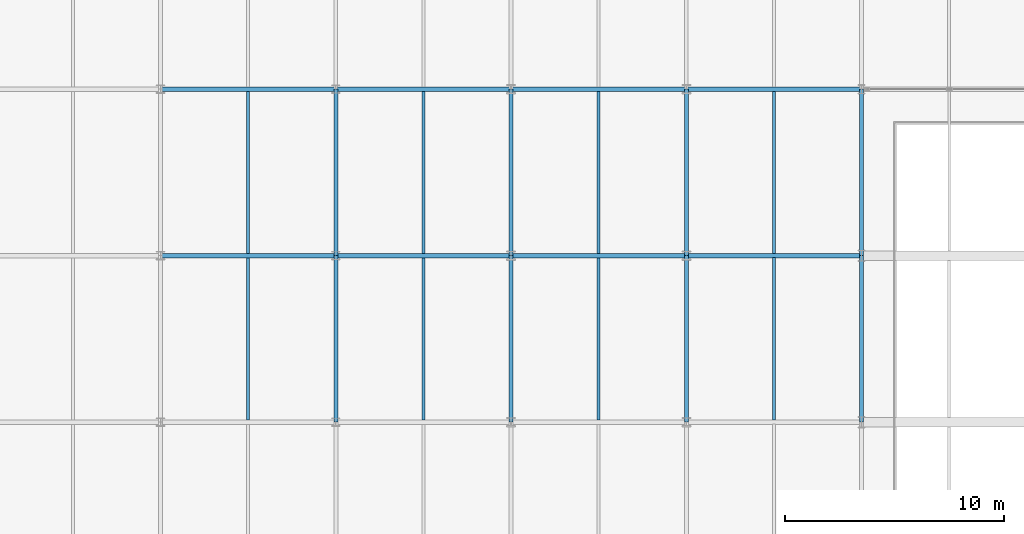
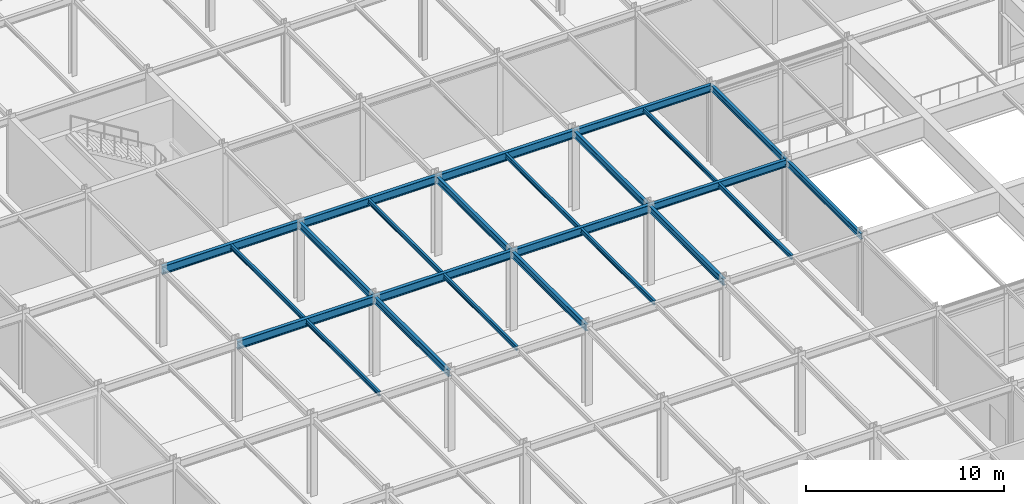
# One storey, part 30 of 79: 24 beams.
"""IFC4 building model written with IfcOpenShell, lengths in metres."""

from ifc_helpers import new_model, si_unit, direction, frame, origin, origin_2d, place, context, subcontext, project, spatial, i_section, extrude, material, material_profile, profile_set, type_object, element, save


model = new_model("IFC4")

# Units and contexts
model_context = context("Model", 3, precision=1e-05, world=origin(), true_north=direction((0.0, 1.0)))
body_context = subcontext(model_context, "Body", "Model", "MODEL_VIEW")
ifc_project = project(units=[si_unit("LENGTHUNIT", "METRE"), si_unit("AREAUNIT", "SQUARE_METRE"), si_unit("VOLUMEUNIT", "CUBIC_METRE"), si_unit("PLANEANGLEUNIT", "RADIAN"), si_unit("MASSUNIT", "GRAM", prefix="KILO")], contexts=[model_context])

# Site, building, storey
site_placement = place(None, origin())
site = spatial("IfcSite", under=ifc_project, at=site_placement, CompositionType="ELEMENT")
building_placement = place(site_placement, origin())
building = spatial("IfcBuilding", under=site, at=building_placement, Name="Shalkamar Park Central Library", CompositionType="ELEMENT")
storey_placement = place(building_placement, frame((0.0, 0.0, 10.5)))
storey = spatial("IfcBuildingStorey", under=building, at=storey_placement, Name="L03", CompositionType="ELEMENT", Elevation=10.5)

# Beams
ifc_material = material(Name="Steel S355", Category="steel")
ifc_material_profile_1 = material_profile(ifc_material, i_section(OverallWidth=0.1201171875, OverallDepth=0.239990234375, WebThickness=0.006103515625, FlangeThickness=0.009765625, FilletRadius=0.014892578125, at=origin_2d()), Name="IPE 240")
ifc_profile_set_1 = profile_set([ifc_material_profile_1], Name="Steel S355")
beam_type_1 = type_object("IfcBeamType", Name="Composite Floor Joist IPE240", PredefinedType="JOIST", material=ifc_profile_set_1)
beam_1_placement = place(storey_placement, frame((225.0, 285.693115234375, 4.719970703125), z_axis=(0.0, 1.0, 0.0), x_axis=(-1.0, 0.0, 0.0)))
element("IfcBeam", 1, at=beam_1_placement, inside=storey, type_object=beam_type_1, Name="Composite Joist 14/G-1 (L03)", PredefinedType="JOIST", context=body_context, shape_type="SweptSolid", body=[
    extrude(i_section(OverallWidth=0.1201171875, OverallDepth=0.239990234375, WebThickness=0.006103515625, FlangeThickness=0.009765625, FilletRadius=0.014892578125, at=origin_2d()), origin(), (0.0, 0.0, 1.0), 7.413818359375),
])
ifc_material_profile_2 = material_profile(ifc_material, i_section(OverallWidth=0.135009765625, OverallDepth=0.27001953125, WebThickness=0.006591796875, FlangeThickness=0.01025390625, FilletRadius=0.014892578125, at=origin_2d()), Name="IPE 270")
ifc_profile_set_2 = profile_set([ifc_material_profile_2], Name="Steel S355")
beam_type_2 = type_object("IfcBeamType", Name="Composite Floor Joist IPE270", PredefinedType="JOIST", material=ifc_profile_set_2)
for number, where, z_axis, x_axis, name in (
    (2, (201.0, 278.097900390625, 4.705078125), (0.0, 1.0, 0.0), (-1.0, 0.0, 0.0), "Composite Joist 11/F-1 (L03)"),
    (3, (201.0, 285.697998046875, 4.705078125), (0.0, 1.0, 0.0), (-1.0, 0.0, 0.0), "Composite Joist 11/G-1 (L03)"),
    (4, (209.0, 278.097900390625, 4.705078125), (0.0, 1.0, 0.0), (-1.0, 0.0, 0.0), "Composite Joist 12/F-1 (L03)"),
    (5, (209.0, 285.697998046875, 4.705078125), (0.0, 1.0, 0.0), (-1.0, 0.0, 0.0), "Composite Joist 12/G-1 (L03)"),
    (6, (217.0, 278.097900390625, 4.705078125), (0.0, 1.0, 0.0), (-1.0, 0.0, 0.0), "Composite Joist 13/F-1 (L03)"),
    (7, (217.0, 285.697998046875, 4.705078125), (0.0, 1.0, 0.0), (-1.0, 0.0, 0.0), "Composite Joist 13/G-1 (L03)"),
):
    element("IfcBeam", number, at=place(storey_placement, frame(where, z_axis=z_axis, x_axis=x_axis)), inside=storey, type_object=beam_type_2, Name=name, PredefinedType="JOIST", context=body_context, shape_type="SweptSolid", body=[
        extrude(i_section(OverallWidth=0.135009765625, OverallDepth=0.27001953125, WebThickness=0.006591796875, FlangeThickness=0.01025390625, FilletRadius=0.014892578125, at=origin_2d()), origin(), (0.0, 0.0, 1.0), 7.404052734375),
    ])
beam_2_placement = place(storey_placement, frame((225.0, 278.093017578125, 4.705078125), z_axis=(0.0, 1.0, 0.0), x_axis=(-1.0, 0.0, 0.0)))
element("IfcBeam", 8, at=beam_2_placement, inside=storey, type_object=beam_type_2, Name="Composite Joist 14/F-1 (L03)", PredefinedType="JOIST", context=body_context, shape_type="SweptSolid", body=[
    extrude(i_section(OverallWidth=0.135009765625, OverallDepth=0.27001953125, WebThickness=0.006591796875, FlangeThickness=0.01025390625, FilletRadius=0.014892578125, at=origin_2d()), origin(), (0.0, 0.0, 1.0), 7.4140625),
])
ifc_material_profile_3 = material_profile(ifc_material, i_section(OverallWidth=0.169921875, OverallDepth=0.360107421875, WebThickness=0.008056640625, FlangeThickness=0.0126953125, FilletRadius=0.01806640625, at=origin_2d()), Name="IPE 360")
ifc_profile_set_3 = profile_set([ifc_material_profile_3], Name="Steel S355")
beam_type_3 = type_object("IfcBeamType", Name="Primary Girder IPE360", PredefinedType="BEAM", material=ifc_profile_set_3)
beam_3_placement = place(storey_placement, frame((229.0, 278.0, 4.659912109375), z_axis=(0.0, 1.0, 0.0), x_axis=(-1.0, 0.0, 0.0)))
element("IfcBeam", 9, at=beam_3_placement, inside=storey, type_object=beam_type_3, Name="Beam 15:F-G (L03)", PredefinedType="BEAM", context=body_context, shape_type="SweptSolid", body=[
    extrude(i_section(OverallWidth=0.169921875, OverallDepth=0.360107421875, WebThickness=0.008056640625, FlangeThickness=0.0126953125, FilletRadius=0.01806640625, at=origin_2d()), origin(), (0.0, 0.0, 1.0), 7.60009765625),
])
beam_4_placement = place(storey_placement, frame((229.0, 285.60009765625, 4.659912109375), z_axis=(0.0, 1.0, 0.0), x_axis=(-1.0, 0.0, 0.0)))
element("IfcBeam", 10, at=beam_4_placement, inside=storey, type_object=beam_type_3, Name="Beam 15:G-H (L03)", PredefinedType="BEAM", context=body_context, shape_type="SweptSolid", body=[
    extrude(i_section(OverallWidth=0.169921875, OverallDepth=0.360107421875, WebThickness=0.008056640625, FlangeThickness=0.0126953125, FilletRadius=0.01806640625, at=origin_2d()), origin(), (0.0, 0.0, 1.0), 7.599853515625),
])
ifc_material_profile_4 = material_profile(ifc_material, i_section(OverallWidth=0.179931640625, OverallDepth=0.39990234375, WebThickness=0.008544921875, FlangeThickness=0.013427734375, FilletRadius=0.02099609375, at=origin_2d()), Name="IPE 400")
ifc_profile_set_4 = profile_set([ifc_material_profile_4], Name="Steel S355")
beam_type_4 = type_object("IfcBeamType", Name="Primary Girder IPE400", PredefinedType="BEAM", material=ifc_profile_set_4)
beam_5_placement = place(storey_placement, frame((205.0, 278.0, 4.639892578125), z_axis=(0.0, 1.0, 0.0), x_axis=(-1.0, 0.0, 0.0)))
element("IfcBeam", 11, at=beam_5_placement, inside=storey, type_object=beam_type_4, Name="Beam 12:F-G (L03)", PredefinedType="BEAM", context=body_context, shape_type="SweptSolid", body=[
    extrude(i_section(OverallWidth=0.179931640625, OverallDepth=0.39990234375, WebThickness=0.008544921875, FlangeThickness=0.013427734375, FilletRadius=0.02099609375, at=origin_2d()), origin(), (0.0, 0.0, 1.0), 7.60009765625),
])
beam_6_placement = place(storey_placement, frame((205.0, 285.60009765625, 4.639892578125), z_axis=(0.0, 1.0, 0.0), x_axis=(-1.0, 0.0, 0.0)))
element("IfcBeam", 12, at=beam_6_placement, inside=storey, type_object=beam_type_4, Name="Beam 12:G-H (L03)", PredefinedType="BEAM", context=body_context, shape_type="SweptSolid", body=[
    extrude(i_section(OverallWidth=0.179931640625, OverallDepth=0.39990234375, WebThickness=0.008544921875, FlangeThickness=0.013427734375, FilletRadius=0.02099609375, at=origin_2d()), origin(), (0.0, 0.0, 1.0), 7.599853515625),
])
beam_7_placement = place(storey_placement, frame((213.0, 278.0, 4.639892578125), z_axis=(0.0, 1.0, 0.0), x_axis=(-1.0, 0.0, 0.0)))
element("IfcBeam", 13, at=beam_7_placement, inside=storey, type_object=beam_type_4, Name="Beam 13:F-G (L03)", PredefinedType="BEAM", context=body_context, shape_type="SweptSolid", body=[
    extrude(i_section(OverallWidth=0.179931640625, OverallDepth=0.39990234375, WebThickness=0.008544921875, FlangeThickness=0.013427734375, FilletRadius=0.02099609375, at=origin_2d()), origin(), (0.0, 0.0, 1.0), 7.60009765625),
])
beam_8_placement = place(storey_placement, frame((213.0, 285.60009765625, 4.639892578125), z_axis=(0.0, 1.0, 0.0), x_axis=(-1.0, 0.0, 0.0)))
element("IfcBeam", 14, at=beam_8_placement, inside=storey, type_object=beam_type_4, Name="Beam 13:G-H (L03)", PredefinedType="BEAM", context=body_context, shape_type="SweptSolid", body=[
    extrude(i_section(OverallWidth=0.179931640625, OverallDepth=0.39990234375, WebThickness=0.008544921875, FlangeThickness=0.013427734375, FilletRadius=0.02099609375, at=origin_2d()), origin(), (0.0, 0.0, 1.0), 7.599853515625),
])
beam_9_placement = place(storey_placement, frame((221.0, 278.0, 4.639892578125), z_axis=(0.0, 1.0, 0.0), x_axis=(-1.0, 0.0, 0.0)))
element("IfcBeam", 15, at=beam_9_placement, inside=storey, type_object=beam_type_4, Name="Beam 14:F-G (L03)", PredefinedType="BEAM", context=body_context, shape_type="SweptSolid", body=[
    extrude(i_section(OverallWidth=0.179931640625, OverallDepth=0.39990234375, WebThickness=0.008544921875, FlangeThickness=0.013427734375, FilletRadius=0.02099609375, at=origin_2d()), origin(), (0.0, 0.0, 1.0), 7.60009765625),
])
beam_10_placement = place(storey_placement, frame((221.0, 285.60009765625, 4.639892578125), z_axis=(0.0, 1.0, 0.0), x_axis=(-1.0, 0.0, 0.0)))
element("IfcBeam", 16, at=beam_10_placement, inside=storey, type_object=beam_type_4, Name="Beam 14:G-H (L03)", PredefinedType="BEAM", context=body_context, shape_type="SweptSolid", body=[
    extrude(i_section(OverallWidth=0.179931640625, OverallDepth=0.39990234375, WebThickness=0.008544921875, FlangeThickness=0.013427734375, FilletRadius=0.02099609375, at=origin_2d()), origin(), (0.0, 0.0, 1.0), 7.599853515625),
])
ifc_material_profile_5 = material_profile(ifc_material, i_section(OverallWidth=0.18994140625, OverallDepth=0.449951171875, WebThickness=0.009521484375, FlangeThickness=0.0146484375, FilletRadius=0.02099609375, at=origin_2d()), Name="IPE 450")
ifc_profile_set_5 = profile_set([ifc_material_profile_5], Name="Steel S355")
beam_type_5 = type_object("IfcBeamType", Name="Primary Girder IPE450", PredefinedType="BEAM", material=ifc_profile_set_5)
for number, where, z_axis, x_axis, name in (
    (17, (221.0, 285.60009765625, 4.614990234375), (1.0, 0.0, 0.0), (0.0, 1.0, 0.0), "Beam G:14-15 (L03)"),
    (18, (221.0, 293.199951171875, 4.614990234375), (1.0, 0.0, 0.0), (0.0, 1.0, 0.0), "Beam H:14-15 (L03)"),
):
    element("IfcBeam", number, at=place(storey_placement, frame(where, z_axis=z_axis, x_axis=x_axis)), inside=storey, type_object=beam_type_5, Name=name, PredefinedType="BEAM", context=body_context, shape_type="SweptSolid", body=[
        extrude(i_section(OverallWidth=0.18994140625, OverallDepth=0.449951171875, WebThickness=0.009521484375, FlangeThickness=0.0146484375, FilletRadius=0.02099609375, at=origin_2d()), origin(), (0.0, 0.0, 1.0), 8.0),
    ])
ifc_material_profile_6 = material_profile(ifc_material, i_section(OverallWidth=0.199951171875, OverallDepth=0.5, WebThickness=0.01025390625, FlangeThickness=0.01611328125, FilletRadius=0.02099609375, at=origin_2d()), Name="IPE 500")
ifc_profile_set_6 = profile_set([ifc_material_profile_6], Name="Steel S355")
beam_type_6 = type_object("IfcBeamType", Name="Primary Girder IPE500", PredefinedType="BEAM", material=ifc_profile_set_6)
for number, where, z_axis, x_axis, name in (
    (19, (197.0, 285.60009765625, 4.590087890625), (1.0, 0.0, 0.0), (0.0, 1.0, 0.0), "Beam G:11-12 (L03)"),
    (20, (205.0, 285.60009765625, 4.590087890625), (1.0, 0.0, 0.0), (0.0, 1.0, 0.0), "Beam G:12-13 (L03)"),
    (21, (213.0, 285.60009765625, 4.590087890625), (1.0, 0.0, 0.0), (0.0, 1.0, 0.0), "Beam G:13-14 (L03)"),
    (22, (197.0, 293.199951171875, 4.590087890625), (1.0, 0.0, 0.0), (0.0, 1.0, 0.0), "Beam H:11-12 (L03)"),
    (23, (205.0, 293.199951171875, 4.590087890625), (1.0, 0.0, 0.0), (0.0, 1.0, 0.0), "Beam H:12-13 (L03)"),
    (24, (213.0, 293.199951171875, 4.590087890625), (1.0, 0.0, 0.0), (0.0, 1.0, 0.0), "Beam H:13-14 (L03)"),
):
    element("IfcBeam", number, at=place(storey_placement, frame(where, z_axis=z_axis, x_axis=x_axis)), inside=storey, type_object=beam_type_6, Name=name, PredefinedType="BEAM", context=body_context, shape_type="SweptSolid", body=[
        extrude(i_section(OverallWidth=0.199951171875, OverallDepth=0.5, WebThickness=0.01025390625, FlangeThickness=0.01611328125, FilletRadius=0.02099609375, at=origin_2d()), origin(), (0.0, 0.0, 1.0), 8.0),
    ])

save(model, "model.ifc")
